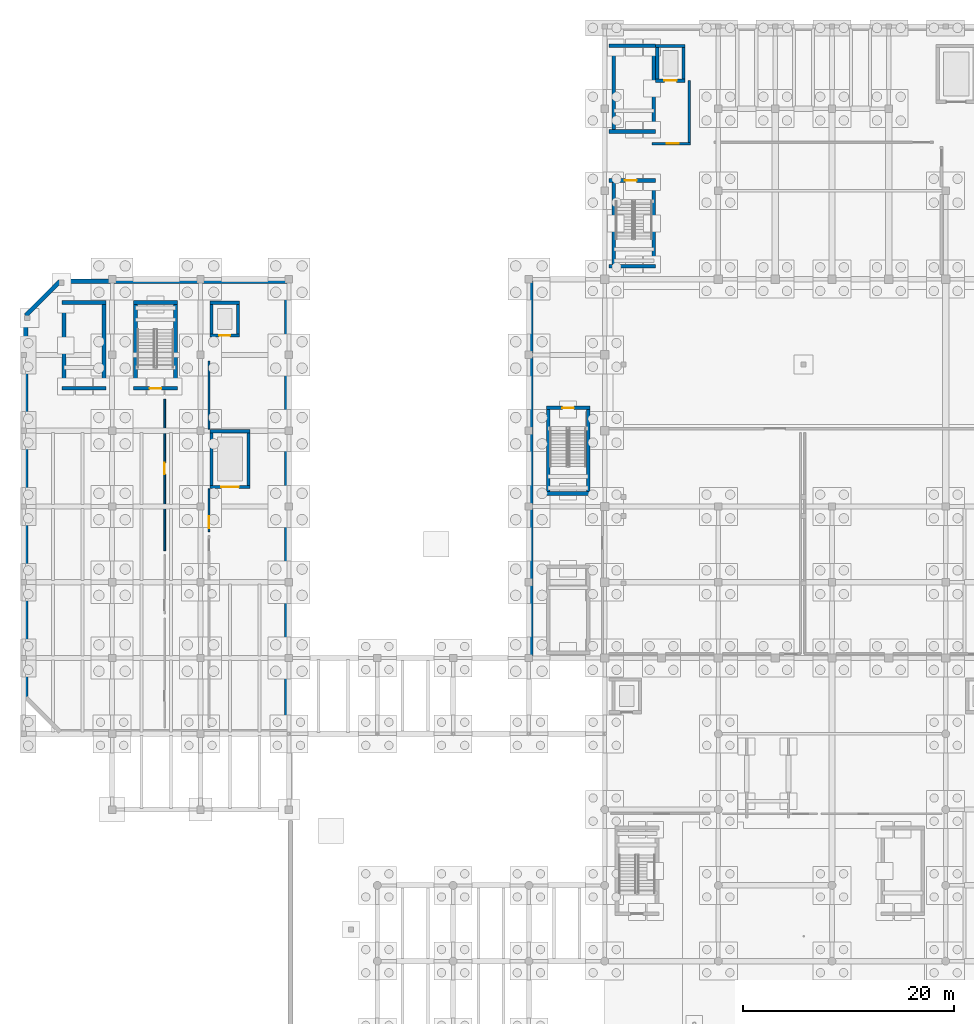
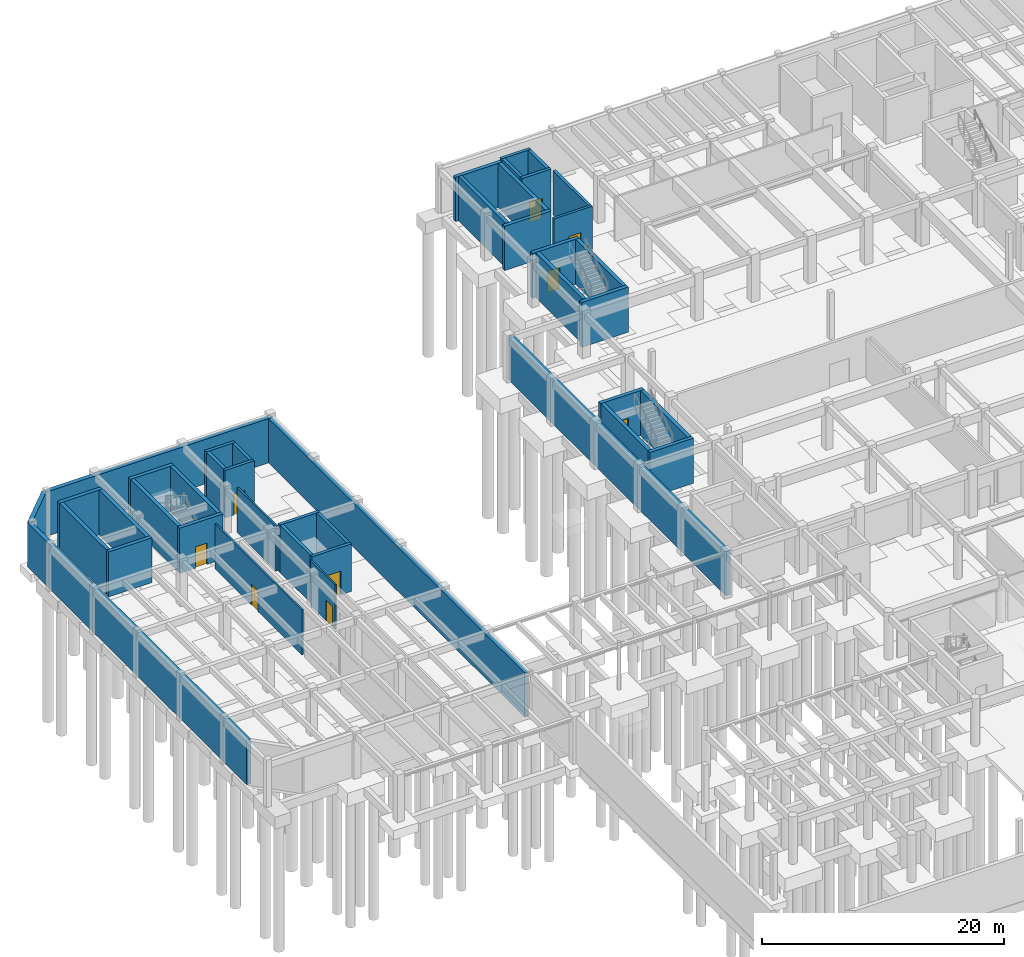
# One storey, part 28 of 46: 42 walls, 9 doors, 9 openings.
"""IFC4 building model written with IfcOpenShell, lengths in metres."""

from ifc_helpers import new_model, si_unit, direction, frame, frame_2d, origin, place, context, subcontext, project, spatial, rectangle, extrude, material, layer, layer_set, type_object, element, fill, save


model = new_model("IFC4")

# Units and contexts
model_context = context("Model", 3, precision=1e-05, world=origin(), true_north=direction((0.0, 1.0)))
body_context = subcontext(model_context, "Body", "Model", "MODEL_VIEW")
ifc_project = project(units=[si_unit("LENGTHUNIT", "METRE"), si_unit("AREAUNIT", "SQUARE_METRE"), si_unit("VOLUMEUNIT", "CUBIC_METRE"), si_unit("PLANEANGLEUNIT", "RADIAN"), si_unit("MASSUNIT", "GRAM", prefix="KILO")], contexts=[model_context])

# Site, building, storey
site_placement = place(None, origin())
site = spatial("IfcSite", under=ifc_project, at=site_placement, CompositionType="ELEMENT")
building_placement = place(site_placement, origin())
building = spatial("IfcBuilding", under=site, at=building_placement, Name="Tazoul Stagehouse", CompositionType="ELEMENT")
storey_placement = place(building_placement, frame((0.0, 0.0, -4.800048828125)))
storey = spatial("IfcBuildingStorey", under=building, at=storey_placement, Name="B1", CompositionType="ELEMENT", Elevation=-4.800048828125)

# Walls
ifc_material_1 = material(Name="Concrete C35/45", Category="concrete")
ifc_layer_1 = layer(ifc_material_1, 0.39990234375, Name="Concrete C35/45")
ifc_layer_set_1 = layer_set([ifc_layer_1], Name="Concrete C35/45")
wall_type_1 = type_object("IfcWallType", Name="Basement Waterproofed Retaining Wall 400", PredefinedType="SOLIDWALL", material=ifc_layer_set_1)
wall_1_placement = place(storey_placement, frame((2.60009765625, 48.06005859375, 0.0), z_axis=(0.0, 0.0, 1.0), x_axis=(0.0, 1.0, 0.0)))
element("IfcWall", 1, at=wall_1_placement, inside=storey, type_object=wall_type_1, Name="B1 Wall RW-400 (RW-B1-V6-W-S1)", PredefinedType="SOLIDWALL", context=body_context, shape_type="SweptSolid", body=[
    extrude(rectangle(XDim=36.280029296875, YDim=0.39990234375, at=frame_2d((18.14013671875, 0.0))), origin(), (0.0, 0.0, 1.0), 4.47998046875),
])
wall_2_placement = place(storey_placement, frame((2.60009765625, 84.340087890625, 0.0), z_axis=(0.0, 0.0, 1.0), x_axis=(0.707106781187, 0.707106781187, 0.0)))
element("IfcWall", 2, at=wall_2_placement, inside=storey, type_object=wall_type_1, Name="B1 Wall RW-400 (RW-B1-V6-NW-S1)", PredefinedType="SOLIDWALL", context=body_context, shape_type="SweptSolid", body=[
    extrude(rectangle(XDim=4.6103515625, YDim=0.39990234375, at=frame_2d((2.30517578125, 0.0))), origin(), (0.0, 0.0, 1.0), 4.47998046875),
])
wall_3_placement = place(storey_placement, frame((5.860107421875, 87.60009765625, 0.0), z_axis=(0.0, 0.0, 1.0), x_axis=(1.0, 0.0, 0.0)))
element("IfcWall", 3, at=wall_3_placement, inside=storey, type_object=wall_type_1, Name="B1 Wall RW-400 (RW-B1-V6-N-S1)", PredefinedType="SOLIDWALL", context=body_context, shape_type="SweptSolid", body=[
    extrude(rectangle(XDim=21.739990234375, YDim=0.39990234375, at=frame_2d((10.8701171875, 0.0))), origin(), (0.0, 0.0, 1.0), 4.47998046875),
])
wall_4_placement = place(storey_placement, frame((27.39990234375, 45.0, 0.0), z_axis=(0.0, 0.0, 1.0), x_axis=(0.0, 1.0, 0.0)))
element("IfcWall", 4, at=wall_4_placement, inside=storey, type_object=wall_type_1, Name="B1 Wall RW-400 (RW-B1-V6-E-S1)", PredefinedType="SOLIDWALL", context=body_context, shape_type="SweptSolid", body=[
    extrude(rectangle(XDim=42.39990234375, YDim=0.39990234375, at=frame_2d((21.199951171875, 0.0))), origin(), (0.0, 0.0, 1.0), 4.47998046875),
])
wall_5_placement = place(storey_placement, frame((50.60009765625, 51.800048828125, 0.0), z_axis=(0.0, 0.0, 1.0), x_axis=(0.0, 1.0, 0.0)))
element("IfcWall", 5, at=wall_5_placement, inside=storey, type_object=wall_type_1, Name="B1 Wall RW-400 (RW-B1-V1-W-S1)", PredefinedType="SOLIDWALL", context=body_context, shape_type="SweptSolid", body=[
    extrude(rectangle(XDim=36.0, YDim=0.39990234375, at=frame_2d((18.0, 0.0))), origin(), (0.0, 0.0, 1.0), 4.47998046875),
])
ifc_material_2 = material(Name="Concrete C40/50", Category="concrete")
ifc_layer_2 = layer(ifc_material_2, 0.35009765625, Name="Concrete C40/50")
ifc_layer_set_2 = layer_set([ifc_layer_2], Name="Concrete C40/50")
wall_type_2 = type_object("IfcWallType", Name="Core Shear Wall 350", PredefinedType="SOLIDWALL", material=ifc_layer_set_2)
wall_6_placement = place(storey_placement, frame((62.449951171875, 101.824951171875, 0.0), z_axis=(0.0, 0.0, 1.0), x_axis=(-1.0, 0.0, 0.0)))
element("IfcWall", 6, at=wall_6_placement, inside=storey, type_object=wall_type_2, Name="B1 Core Wall CW-350 (SHF-ST-03-south)", PredefinedType="SOLIDWALL", context=body_context, shape_type="SweptSolid", body=[
    extrude(rectangle(XDim=4.449951171875, YDim=0.35009765625, at=frame_2d((2.22509765625, 0.0))), origin(), (0.0, 0.0, 1.0), 4.47998046875),
])
wall_7_placement = place(storey_placement, frame((58.47509765625, 102.0, 0.0), z_axis=(0.0, 0.0, 1.0), x_axis=(0.0, 1.0, 0.0)))
element("IfcWall", 7, at=wall_7_placement, inside=storey, type_object=wall_type_2, Name="B1 Core Wall CW-350 (SHF-ST-03-west)", PredefinedType="SOLIDWALL", context=body_context, shape_type="SweptSolid", body=[
    extrude(rectangle(XDim=7.800048828125, YDim=0.35009765625, at=frame_2d((3.89990234375, 0.0))), origin(), (0.0, 0.0, 1.0), 4.47998046875),
])
wall_8_placement = place(storey_placement, frame((58.0, 109.97509765625, 0.0), z_axis=(0.0, 0.0, 1.0), x_axis=(1.0, 0.0, 0.0)))
element("IfcWall", 8, at=wall_8_placement, inside=storey, type_object=wall_type_2, Name="B1 Core Wall CW-350 (SHF-ST-03-north)", PredefinedType="SOLIDWALL", context=body_context, shape_type="SweptSolid", body=[
    extrude(rectangle(XDim=4.449951171875, YDim=0.35009765625, at=frame_2d((2.22509765625, 0.0))), origin(), (0.0, 0.0, 1.0), 4.47998046875),
])
wall_9_placement = place(storey_placement, frame((62.27490234375, 109.800048828125, 0.0), z_axis=(0.0, 0.0, 1.0), x_axis=(0.0, -1.0, 0.0)))
element("IfcWall", 9, at=wall_9_placement, inside=storey, type_object=wall_type_2, Name="B1 Core Wall CW-350 (SHF-ST-03-east)", PredefinedType="SOLIDWALL", context=body_context, shape_type="SweptSolid", body=[
    extrude(rectangle(XDim=7.800048828125, YDim=0.35009765625, at=frame_2d((3.89990234375, 0.0))), origin(), (0.0, 0.0, 1.0), 4.47998046875),
])
wall_10_placement = place(storey_placement, frame((62.449951171875, 89.02490234375, 0.0), z_axis=(0.0, 0.0, 1.0), x_axis=(-1.0, 0.0, 0.0)))
element("IfcWall", 10, at=wall_10_placement, inside=storey, type_object=wall_type_2, Name="B1 Core Wall CW-350 (SHF-ST-B3-south)", PredefinedType="SOLIDWALL", context=body_context, shape_type="SweptSolid", body=[
    extrude(rectangle(XDim=4.449951171875, YDim=0.35009765625, at=frame_2d((2.22509765625, 0.0))), origin(), (0.0, 0.0, 1.0), 4.56005859375),
])
wall_11_placement = place(storey_placement, frame((58.47509765625, 89.199951171875, 0.0), z_axis=(0.0, 0.0, 1.0), x_axis=(0.0, 1.0, 0.0)))
element("IfcWall", 11, at=wall_11_placement, inside=storey, type_object=wall_type_2, Name="B1 Core Wall CW-350 (SHF-ST-B3-west)", PredefinedType="SOLIDWALL", context=body_context, shape_type="SweptSolid", body=[
    extrude(rectangle(XDim=7.800048828125, YDim=0.35009765625, at=frame_2d((3.89990234375, 0.0))), origin(), (0.0, 0.0, 1.0), 4.56005859375),
])

# Wall, opening, door
wall_12_placement = place(storey_placement, frame((58.0, 97.175048828125, 0.0), z_axis=(0.0, 0.0, 1.0), x_axis=(1.0, 0.0, 0.0)))
wall_12 = element("IfcWall", 12, at=wall_12_placement, inside=storey, type_object=wall_type_2, Name="B1 Core Wall CW-350 (SHF-ST-B3-north)", PredefinedType="SOLIDWALL", context=body_context, shape_type="SweptSolid", body=[
    extrude(rectangle(XDim=4.449951171875, YDim=0.35009765625, at=frame_2d((2.22509765625, 0.0))), origin(), (0.0, 0.0, 1.0), 4.56005859375),
])
opening_1_placement = place(wall_12_placement, frame((1.52490234375, 0.0, 0.0)))
opening_1 = element("IfcOpeningElement", 13, at=opening_1_placement, cuts=wall_12, Name="Opening FD-01", PredefinedType="OPENING", context=body_context, shape_type="SweptSolid", body=[
    extrude(rectangle(XDim=1.10009765625, YDim=2.14990234375, at=frame_2d((0.550048828125, 1.074951171875))), frame((0.0, 0.195068359375, 0.0), z_axis=(0.0, -1.0, 0.0), x_axis=(1.0, 0.0, 0.0)), (0.0, 0.0, 1.0), 0.39013671875),
])
ifc_material_3 = material(Name="Powder-Coated Galvanised Acoustic Steel", Category="steel")
door_type_1 = type_object("IfcDoorType", Name="Core Escape Stair Fire Door 1100x2150", OperationType="NOTDEFINED", PredefinedType="DOOR", material=ifc_material_3)
door_1_placement = place(opening_1_placement, origin())
door_1 = element("IfcDoor", 14, at=door_1_placement, inside=storey, type_object=door_type_1, Name="B1 Basement Stair Fire Door FD-01 (ST-B3)", OperationType="SINGLE_SWING_LEFT", OverallHeight=2.14990234375, OverallWidth=1.10009765625, PredefinedType="DOOR", context=body_context, shape_type="SweptSolid", body=[
    extrude(rectangle(XDim=1.10009765625, YDim=2.14990234375, at=frame_2d((0.550048828125, 1.074951171875))), frame((0.0, 0.02490234375, 0.0), z_axis=(0.0, -1.0, 0.0), x_axis=(1.0, 0.0, 0.0)), (0.0, 0.0, 1.0), 0.050048828125),
])
fill(opening_1, door_1)

# Walls
wall_13_placement = place(storey_placement, frame((62.27490234375, 97.0, 0.0), z_axis=(0.0, 0.0, 1.0), x_axis=(0.0, -1.0, 0.0)))
element("IfcWall", 15, at=wall_13_placement, inside=storey, type_object=wall_type_2, Name="B1 Core Wall CW-350 (SHF-ST-B3-east)", PredefinedType="SOLIDWALL", context=body_context, shape_type="SweptSolid", body=[
    extrude(rectangle(XDim=7.800048828125, YDim=0.35009765625, at=frame_2d((3.89990234375, 0.0))), origin(), (0.0, 0.0, 1.0), 4.56005859375),
])
wall_14_placement = place(storey_placement, frame((56.199951171875, 67.425048828125, 0.0), z_axis=(0.0, 0.0, 1.0), x_axis=(-1.0, 0.0, 0.0)))
element("IfcWall", 16, at=wall_14_placement, inside=storey, type_object=wall_type_2, Name="B1 Core Wall CW-350 (SHF-ST-B5-south)", PredefinedType="SOLIDWALL", context=body_context, shape_type="SweptSolid", body=[
    extrude(rectangle(XDim=4.14990234375, YDim=0.35009765625, at=frame_2d((2.074951171875, 0.0))), origin(), (0.0, 0.0, 1.0), 4.56005859375),
])
wall_15_placement = place(storey_placement, frame((52.22509765625, 67.60009765625, 0.0), z_axis=(0.0, 0.0, 1.0), x_axis=(0.0, 1.0, 0.0)))
element("IfcWall", 17, at=wall_15_placement, inside=storey, type_object=wall_type_2, Name="B1 Core Wall CW-350 (SHF-ST-B5-west)", PredefinedType="SOLIDWALL", context=body_context, shape_type="SweptSolid", body=[
    extrude(rectangle(XDim=7.7998046875, YDim=0.35009765625, at=frame_2d((3.89990234375, 0.0))), origin(), (0.0, 0.0, 1.0), 4.56005859375),
])

# Wall, opening, door
wall_16_placement = place(storey_placement, frame((52.050048828125, 75.574951171875, 0.0), z_axis=(0.0, 0.0, 1.0), x_axis=(1.0, 0.0, 0.0)))
wall_16 = element("IfcWall", 18, at=wall_16_placement, inside=storey, type_object=wall_type_2, Name="B1 Core Wall CW-350 (SHF-ST-B5-north)", PredefinedType="SOLIDWALL", context=body_context, shape_type="SweptSolid", body=[
    extrude(rectangle(XDim=4.14990234375, YDim=0.35009765625, at=frame_2d((2.074951171875, 0.0))), origin(), (0.0, 0.0, 1.0), 4.56005859375),
])
opening_2_placement = place(wall_16_placement, frame((1.52490234375, 0.0, 0.0)))
opening_2 = element("IfcOpeningElement", 19, at=opening_2_placement, cuts=wall_16, Name="Opening FD-01", PredefinedType="OPENING", context=body_context, shape_type="SweptSolid", body=[
    extrude(rectangle(XDim=1.10009765625, YDim=2.14990234375, at=frame_2d((0.550048828125, 1.074951171875))), frame((0.0, 0.195068359375, 0.0), z_axis=(0.0, -1.0, 0.0), x_axis=(1.0, 0.0, 0.0)), (0.0, 0.0, 1.0), 0.39013671875),
])
door_2_placement = place(opening_2_placement, origin())
door_2 = element("IfcDoor", 20, at=door_2_placement, inside=storey, type_object=door_type_1, Name="B1 Basement Stair Fire Door FD-01 (ST-B5)", OperationType="SINGLE_SWING_RIGHT", OverallHeight=2.14990234375, OverallWidth=1.10009765625, PredefinedType="DOOR", context=body_context, shape_type="SweptSolid", body=[
    extrude(rectangle(XDim=1.10009765625, YDim=2.14990234375, at=frame_2d((0.550048828125, 1.074951171875))), frame((0.0, 0.02490234375, 0.0), z_axis=(0.0, -1.0, 0.0), x_axis=(1.0, 0.0, 0.0)), (0.0, 0.0, 1.0), 0.050048828125),
])
fill(opening_2, door_2)

# Walls
wall_17_placement = place(storey_placement, frame((56.02490234375, 75.39990234375, 0.0), z_axis=(0.0, 0.0, 1.0), x_axis=(0.0, -1.0, 0.0)))
element("IfcWall", 21, at=wall_17_placement, inside=storey, type_object=wall_type_2, Name="B1 Core Wall CW-350 (SHF-ST-B5-east)", PredefinedType="SOLIDWALL", context=body_context, shape_type="SweptSolid", body=[
    extrude(rectangle(XDim=7.7998046875, YDim=0.35009765625, at=frame_2d((3.89990234375, 0.0))), origin(), (0.0, 0.0, 1.0), 4.56005859375),
])
wall_18_placement = place(storey_placement, frame((10.199951171875, 77.425048828125, 0.0), z_axis=(0.0, 0.0, 1.0), x_axis=(-1.0, 0.0, 0.0)))
element("IfcWall", 22, at=wall_18_placement, inside=storey, type_object=wall_type_2, Name="B1 Core Wall CW-350 (SHF-ST-06-south)", PredefinedType="SOLIDWALL", context=body_context, shape_type="SweptSolid", body=[
    extrude(rectangle(XDim=4.14990234375, YDim=0.35009765625, at=frame_2d((2.074951171875, 0.0))), origin(), (0.0, 0.0, 1.0), 4.5400390625),
])
wall_19_placement = place(storey_placement, frame((6.22509765625, 77.60009765625, 0.0), z_axis=(0.0, 0.0, 1.0), x_axis=(0.0, 1.0, 0.0)))
element("IfcWall", 23, at=wall_19_placement, inside=storey, type_object=wall_type_2, Name="B1 Core Wall CW-350 (SHF-ST-06-west)", PredefinedType="SOLIDWALL", context=body_context, shape_type="SweptSolid", body=[
    extrude(rectangle(XDim=7.7998046875, YDim=0.35009765625, at=frame_2d((3.89990234375, 0.0))), origin(), (0.0, 0.0, 1.0), 4.5400390625),
])
wall_20_placement = place(storey_placement, frame((6.050048828125, 85.574951171875, 0.0), z_axis=(0.0, 0.0, 1.0), x_axis=(1.0, 0.0, 0.0)))
element("IfcWall", 24, at=wall_20_placement, inside=storey, type_object=wall_type_2, Name="B1 Core Wall CW-350 (SHF-ST-06-north)", PredefinedType="SOLIDWALL", context=body_context, shape_type="SweptSolid", body=[
    extrude(rectangle(XDim=4.14990234375, YDim=0.35009765625, at=frame_2d((2.074951171875, 0.0))), origin(), (0.0, 0.0, 1.0), 4.5400390625),
])
wall_21_placement = place(storey_placement, frame((10.02490234375, 85.39990234375, 0.0), z_axis=(0.0, 0.0, 1.0), x_axis=(0.0, -1.0, 0.0)))
element("IfcWall", 25, at=wall_21_placement, inside=storey, type_object=wall_type_2, Name="B1 Core Wall CW-350 (SHF-ST-06-east)", PredefinedType="SOLIDWALL", context=body_context, shape_type="SweptSolid", body=[
    extrude(rectangle(XDim=7.7998046875, YDim=0.35009765625, at=frame_2d((3.89990234375, 0.0))), origin(), (0.0, 0.0, 1.0), 4.5400390625),
])

# Wall, opening, door
wall_22_placement = place(storey_placement, frame((17.0, 77.425048828125, 0.0), z_axis=(0.0, 0.0, 1.0), x_axis=(-1.0, 0.0, 0.0)))
wall_22 = element("IfcWall", 26, at=wall_22_placement, inside=storey, type_object=wall_type_2, Name="B1 Core Wall CW-350 (SHF-ST-B6-south)", PredefinedType="SOLIDWALL", context=body_context, shape_type="SweptSolid", body=[
    extrude(rectangle(XDim=4.14990234375, YDim=0.35009765625, at=frame_2d((2.074951171875, 0.0))), origin(), (0.0, 0.0, 1.0), 4.56005859375),
])
opening_3_placement = place(wall_22_placement, frame((1.52490234375, 0.0, 0.0)))
opening_3 = element("IfcOpeningElement", 27, at=opening_3_placement, cuts=wall_22, Name="Opening FD-01", PredefinedType="OPENING", context=body_context, shape_type="SweptSolid", body=[
    extrude(rectangle(XDim=1.10009765625, YDim=2.14990234375, at=frame_2d((0.550048828125, 1.074951171875))), frame((0.0, 0.195068359375, 0.0), z_axis=(0.0, -1.0, 0.0), x_axis=(1.0, 0.0, 0.0)), (0.0, 0.0, 1.0), 0.39013671875),
])
door_3_placement = place(opening_3_placement, origin())
door_3 = element("IfcDoor", 28, at=door_3_placement, inside=storey, type_object=door_type_1, Name="B1 Basement Stair Fire Door FD-01 (ST-B6)", OperationType="SINGLE_SWING_RIGHT", OverallHeight=2.14990234375, OverallWidth=1.10009765625, PredefinedType="DOOR", context=body_context, shape_type="SweptSolid", body=[
    extrude(rectangle(XDim=1.10009765625, YDim=2.14990234375, at=frame_2d((0.550048828125, 1.074951171875))), frame((0.0, 0.02490234375, 0.0), z_axis=(0.0, -1.0, 0.0), x_axis=(1.0, 0.0, 0.0)), (0.0, 0.0, 1.0), 0.050048828125),
])
fill(opening_3, door_3)

# Walls
wall_23_placement = place(storey_placement, frame((13.02490234375, 77.60009765625, 0.0), z_axis=(0.0, 0.0, 1.0), x_axis=(0.0, 1.0, 0.0)))
element("IfcWall", 29, at=wall_23_placement, inside=storey, type_object=wall_type_2, Name="B1 Core Wall CW-350 (SHF-ST-B6-west)", PredefinedType="SOLIDWALL", context=body_context, shape_type="SweptSolid", body=[
    extrude(rectangle(XDim=7.7998046875, YDim=0.35009765625, at=frame_2d((3.89990234375, 0.0))), origin(), (0.0, 0.0, 1.0), 4.56005859375),
])
wall_24_placement = place(storey_placement, frame((12.85009765625, 85.574951171875, 0.0), z_axis=(0.0, 0.0, 1.0), x_axis=(1.0, 0.0, 0.0)))
element("IfcWall", 30, at=wall_24_placement, inside=storey, type_object=wall_type_2, Name="B1 Core Wall CW-350 (SHF-ST-B6-north)", PredefinedType="SOLIDWALL", context=body_context, shape_type="SweptSolid", body=[
    extrude(rectangle(XDim=4.14990234375, YDim=0.35009765625, at=frame_2d((2.074951171875, 0.0))), origin(), (0.0, 0.0, 1.0), 4.56005859375),
])
wall_25_placement = place(storey_placement, frame((16.824951171875, 85.39990234375, 0.0), z_axis=(0.0, 0.0, 1.0), x_axis=(0.0, -1.0, 0.0)))
element("IfcWall", 31, at=wall_25_placement, inside=storey, type_object=wall_type_2, Name="B1 Core Wall CW-350 (SHF-ST-B6-east)", PredefinedType="SOLIDWALL", context=body_context, shape_type="SweptSolid", body=[
    extrude(rectangle(XDim=7.7998046875, YDim=0.35009765625, at=frame_2d((3.89990234375, 0.0))), origin(), (0.0, 0.0, 1.0), 4.56005859375),
])

# Wall, opening, door
ifc_material_4 = material(Name="Gypsum Acoustic Partition", Category="gypsum")
ifc_layer_3 = layer(ifc_material_4, 0.169921875, Name="Gypsum Acoustic Partition")
ifc_layer_set_3 = layer_set([ifc_layer_3], Name="Gypsum Acoustic Partition")
wall_type_3 = type_object("IfcWallType", Name="Corridor Fire-Rated Partition 170", PredefinedType="PARTITIONING", material=ifc_layer_set_3)
wall_26_placement = place(storey_placement, frame((15.800048828125, 76.39990234375, 0.0), z_axis=(0.0, 0.0, 1.0), x_axis=(0.0, -1.0, 0.0)))
wall_26 = element("IfcWall", 32, at=wall_26_placement, inside=storey, type_object=wall_type_3, Name="B1 Partition PW-170 (PW-RM-B1-015-E)", PredefinedType="PARTITIONING", context=body_context, shape_type="SweptSolid", body=[
    extrude(rectangle(XDim=14.39990234375, YDim=0.169921875, at=frame_2d((7.199951171875, 0.0))), origin(), (0.0, 0.0, 1.0), 4.5400390625),
])
opening_4_placement = place(wall_26_placement, frame((6.032470703125, 0.0, 0.0)))
opening_4 = element("IfcOpeningElement", 33, at=opening_4_placement, cuts=wall_26, Name="Opening ID-09", PredefinedType="OPENING", context=body_context, shape_type="SweptSolid", body=[
    extrude(rectangle(XDim=1.10009765625, YDim=2.10009765625, at=frame_2d((0.550048828125, 1.050048828125))), frame((0.0, 0.10498046875, 0.0), z_axis=(0.0, -1.0, 0.0), x_axis=(1.0, 0.0, 0.0)), (0.0, 0.0, 1.0), 0.2099609375),
])
ifc_material_5 = material(Name="Acoustic Cedar Timber", Category="wood")
door_type_2 = type_object("IfcDoorType", Name="Store Room Steel Door 1100x2100", OperationType="NOTDEFINED", PredefinedType="DOOR", material=ifc_material_5)
door_4_placement = place(opening_4_placement, origin())
door_4 = element("IfcDoor", 34, at=door_4_placement, inside=storey, type_object=door_type_2, Name="B1 Black-Box Prop and Seat Wagon Store Door", OperationType="SINGLE_SWING_LEFT", OverallHeight=2.10009765625, OverallWidth=1.10009765625, PredefinedType="DOOR", context=body_context, shape_type="SweptSolid", body=[
    extrude(rectangle(XDim=1.10009765625, YDim=2.10009765625, at=frame_2d((0.550048828125, 1.050048828125))), frame((0.0, 0.02490234375, 0.0), z_axis=(0.0, -1.0, 0.0), x_axis=(1.0, 0.0, 0.0)), (0.0, 0.0, 1.0), 0.050048828125),
])
fill(opening_4, door_4)

wall_27_placement = place(storey_placement, frame((20.0, 63.800048828125, 0.0), z_axis=(0.0, 0.0, 1.0), x_axis=(0.0, 1.0, 0.0)))
wall_27 = element("IfcWall", 35, at=wall_27_placement, inside=storey, type_object=wall_type_3, Name="B1 Partition PW-170 (PW-RM-B1-100-W-S1)", PredefinedType="PARTITIONING", context=body_context, shape_type="SweptSolid", body=[
    extrude(rectangle(XDim=4.06005859375, YDim=0.169921875, at=frame_2d((2.030029296875, 0.0))), origin(), (0.0, 0.0, 1.0), 4.5400390625),
])
opening_5_placement = place(wall_27_placement, frame((0.35009765625, 0.0, 0.0)))
opening_5 = element("IfcOpeningElement", 36, at=opening_5_placement, cuts=wall_27, Name="Opening ID-09", PredefinedType="OPENING", context=body_context, shape_type="SweptSolid", body=[
    extrude(rectangle(XDim=1.10009765625, YDim=2.10009765625, at=frame_2d((0.550048828125, 1.050048828125))), frame((0.0, 0.10498046875, 0.0), z_axis=(0.0, -1.0, 0.0), x_axis=(1.0, 0.0, 0.0)), (0.0, 0.0, 1.0), 0.2099609375),
])
door_5_placement = place(opening_5_placement, origin())
door_5 = element("IfcDoor", 37, at=door_5_placement, inside=storey, type_object=door_type_2, Name="B1 West Wing Heavy Property and Lighting Store Door", OperationType="SINGLE_SWING_LEFT", OverallHeight=2.10009765625, OverallWidth=1.10009765625, PredefinedType="DOOR", context=body_context, shape_type="SweptSolid", body=[
    extrude(rectangle(XDim=1.10009765625, YDim=2.10009765625, at=frame_2d((0.550048828125, 1.050048828125))), frame((0.0, 0.02490234375, 0.0), z_axis=(0.0, -1.0, 0.0), x_axis=(1.0, 0.0, 0.0)), (0.0, 0.0, 1.0), 0.050048828125),
])
fill(opening_5, door_5)

# Wall
wall_28_placement = place(storey_placement, frame((20.0, 73.5400390625, 0.0), z_axis=(0.0, 0.0, 1.0), x_axis=(0.0, 1.0, 0.0)))
element("IfcWall", 38, at=wall_28_placement, inside=storey, type_object=wall_type_3, Name="B1 Partition PW-170 (PW-RM-B1-100-W-S2)", PredefinedType="PARTITIONING", context=body_context, shape_type="SweptSolid", body=[
    extrude(rectangle(XDim=6.4599609375, YDim=0.169921875, at=frame_2d((3.22998046875, 0.0))), origin(), (0.0, 0.0, 1.0), 4.5400390625),
])

# Wall, opening, door
ifc_layer_4 = layer(ifc_material_2, 0.260009765625, Name="Concrete C40/50")
ifc_layer_set_4 = layer_set([ifc_layer_4], Name="Concrete C40/50")
wall_type_4 = type_object("IfcWallType", Name="Firefighting Lobby Wall 260", PredefinedType="SOLIDWALL", material=ifc_layer_set_4)
wall_29_placement = place(storey_placement, frame((65.760009765625, 100.669921875, 0.0), z_axis=(0.0, 0.0, 1.0), x_axis=(-1.0, 0.0, 0.0)))
wall_29 = element("IfcWall", 39, at=wall_29_placement, inside=storey, type_object=wall_type_4, Name="B1 Firefighting Lobby Wall CW-260 (C3-S)", PredefinedType="SOLIDWALL", context=body_context, shape_type="SweptSolid", body=[
    extrude(rectangle(XDim=3.659912109375, YDim=0.260009765625, at=frame_2d((1.830078125, 0.0))), origin(), (0.0, 0.0, 1.0), 4.47998046875),
])
opening_6_placement = place(wall_29_placement, frame((1.10009765625, 0.0, 0.0)))
opening_6 = element("IfcOpeningElement", 40, at=opening_6_placement, cuts=wall_29, Name="Opening FD-02", PredefinedType="OPENING", context=body_context, shape_type="SweptSolid", body=[
    extrude(rectangle(XDim=1.14990234375, YDim=2.199951171875, at=frame_2d((0.574951171875, 1.10009765625))), frame((0.0, 0.14990234375, 0.0), z_axis=(0.0, -1.0, 0.0), x_axis=(1.0, 0.0, 0.0)), (0.0, 0.0, 1.0), 0.300048828125),
])
door_type_3 = type_object("IfcDoorType", Name="Firefighting Lobby Fire Door 1150x2200", OperationType="NOTDEFINED", PredefinedType="DOOR", material=ifc_material_3)
door_6_placement = place(opening_6_placement, origin())
door_6 = element("IfcDoor", 41, at=door_6_placement, inside=storey, type_object=door_type_3, Name="B1 Firefighting Lobby Door FD-02 (C3)", OperationType="SINGLE_SWING_LEFT", OverallHeight=2.199951171875, OverallWidth=1.14990234375, PredefinedType="DOOR", context=body_context, shape_type="SweptSolid", body=[
    extrude(rectangle(XDim=1.14990234375, YDim=2.199951171875, at=frame_2d((0.574951171875, 1.10009765625))), frame((0.0, 0.02490234375, 0.0), z_axis=(0.0, -1.0, 0.0), x_axis=(1.0, 0.0, 0.0)), (0.0, 0.0, 1.0), 0.050048828125),
])
fill(opening_6, door_6)

# Wall
wall_30_placement = place(storey_placement, frame((65.6298828125, 106.64990234375, 0.0), z_axis=(0.0, 0.0, 1.0), x_axis=(0.0, -1.0, 0.0)))
element("IfcWall", 42, at=wall_30_placement, inside=storey, type_object=wall_type_4, Name="B1 Firefighting Lobby Wall CW-260 (C3-E)", PredefinedType="SOLIDWALL", context=body_context, shape_type="SweptSolid", body=[
    extrude(rectangle(XDim=5.849853515625, YDim=0.260009765625, at=frame_2d((2.9248046875, 0.0))), origin(), (0.0, 0.0, 1.0), 4.47998046875),
])

# Wall, opening, door
ifc_layer_5 = layer(ifc_material_2, 0.300048828125, Name="Concrete C40/50")
ifc_layer_set_5 = layer_set([ifc_layer_5], Name="Concrete C40/50")
wall_type_5 = type_object("IfcWallType", Name="Lift Shaft Wall 300", PredefinedType="SOLIDWALL", material=ifc_layer_set_5)
wall_31_placement = place(storey_placement, frame((65.25, 106.64990234375, 0.0), z_axis=(0.0, 0.0, 1.0), x_axis=(-1.0, 0.0, 0.0)))
wall_31 = element("IfcWall", 43, at=wall_31_placement, inside=storey, type_object=wall_type_5, Name="B1 Core Wall CW-300 (LSHF-FFL-02-south)", PredefinedType="SOLIDWALL", context=body_context, shape_type="SweptSolid", body=[
    extrude(rectangle(XDim=2.800048828125, YDim=0.300048828125, at=frame_2d((1.39990234375, 0.0))), origin(), (0.0, 0.0, 1.0), 4.800048828125),
])
opening_7_placement = place(wall_31_placement, frame((0.824951171875, 0.0, 0.0)))
opening_7 = element("IfcOpeningElement", 44, at=opening_7_placement, cuts=wall_31, Name="Opening LD-02", PredefinedType="OPENING", context=body_context, shape_type="SweptSolid", body=[
    extrude(rectangle(XDim=1.14990234375, YDim=2.10009765625, at=frame_2d((0.574951171875, 1.050048828125))), frame((0.0, 0.169921875, 0.0), z_axis=(0.0, -1.0, 0.0), x_axis=(1.0, 0.0, 0.0)), (0.0, 0.0, 1.0), 0.340087890625),
])
door_type_4 = type_object("IfcDoorType", Name="Firefighter Lift Sliding Landing Door 1150x2100", OperationType="DOUBLE_DOOR_SLIDING", PredefinedType="DOOR", material=ifc_material_3)
door_7_placement = place(opening_7_placement, origin())
door_7 = element("IfcDoor", 45, at=door_7_placement, inside=storey, type_object=door_type_4, Name="B1 Lift Landing Sliding Door LD-02 (FFL-02)", OperationType="DOUBLE_DOOR_SLIDING", OverallHeight=2.10009765625, OverallWidth=1.14990234375, PredefinedType="DOOR", context=body_context, shape_type="SweptSolid", body=[
    extrude(rectangle(XDim=1.14990234375, YDim=2.10009765625, at=frame_2d((0.574951171875, 1.050048828125))), frame((0.0, 0.02490234375, 0.0), z_axis=(0.0, -1.0, 0.0), x_axis=(1.0, 0.0, 0.0)), (0.0, 0.0, 1.0), 0.050048828125),
])
fill(opening_7, door_7)

# Walls
wall_32_placement = place(storey_placement, frame((62.60009765625, 106.800048828125, 0.0), z_axis=(0.0, 0.0, 1.0), x_axis=(0.0, 1.0, 0.0)))
element("IfcWall", 46, at=wall_32_placement, inside=storey, type_object=wall_type_5, Name="B1 Core Wall CW-300 (LSHF-FFL-02-west)", PredefinedType="SOLIDWALL", context=body_context, shape_type="SweptSolid", body=[
    extrude(rectangle(XDim=3.0, YDim=0.300048828125, at=frame_2d((1.5, 0.0))), origin(), (0.0, 0.0, 1.0), 4.800048828125),
])
wall_33_placement = place(storey_placement, frame((62.449951171875, 109.949951171875, 0.0), z_axis=(0.0, 0.0, 1.0), x_axis=(1.0, 0.0, 0.0)))
element("IfcWall", 47, at=wall_33_placement, inside=storey, type_object=wall_type_5, Name="B1 Core Wall CW-300 (LSHF-FFL-02-north)", PredefinedType="SOLIDWALL", context=body_context, shape_type="SweptSolid", body=[
    extrude(rectangle(XDim=2.800048828125, YDim=0.300048828125, at=frame_2d((1.39990234375, 0.0))), origin(), (0.0, 0.0, 1.0), 4.800048828125),
])
wall_34_placement = place(storey_placement, frame((65.10009765625, 109.800048828125, 0.0), z_axis=(0.0, 0.0, 1.0), x_axis=(0.0, -1.0, 0.0)))
element("IfcWall", 48, at=wall_34_placement, inside=storey, type_object=wall_type_5, Name="B1 Core Wall CW-300 (LSHF-FFL-02-east)", PredefinedType="SOLIDWALL", context=body_context, shape_type="SweptSolid", body=[
    extrude(rectangle(XDim=3.0, YDim=0.300048828125, at=frame_2d((1.5, 0.0))), origin(), (0.0, 0.0, 1.0), 4.800048828125),
])

# Wall, opening, door
wall_35_placement = place(storey_placement, frame((22.89990234375, 82.449951171875, 0.0), z_axis=(0.0, 0.0, 1.0), x_axis=(-1.0, 0.0, 0.0)))
wall_35 = element("IfcWall", 49, at=wall_35_placement, inside=storey, type_object=wall_type_5, Name="B1 Core Wall CW-300 (LSHF-PL-03-south)", PredefinedType="SOLIDWALL", context=body_context, shape_type="SweptSolid", body=[
    extrude(rectangle(XDim=2.7998046875, YDim=0.300048828125, at=frame_2d((1.39990234375, 0.0))), origin(), (0.0, 0.0, 1.0), 4.800048828125),
])
opening_8_placement = place(wall_35_placement, frame((0.875, 0.0, 0.0)))
opening_8 = element("IfcOpeningElement", 50, at=opening_8_placement, cuts=wall_35, Name="Opening LD-05", PredefinedType="OPENING", context=body_context, shape_type="SweptSolid", body=[
    extrude(rectangle(XDim=1.050048828125, YDim=2.14990234375, at=frame_2d((0.52490234375, 1.074951171875))), frame((0.0, 0.169921875, 0.0), z_axis=(0.0, -1.0, 0.0), x_axis=(1.0, 0.0, 0.0)), (0.0, 0.0, 1.0), 0.340087890625),
])
door_type_5 = type_object("IfcDoorType", Name="West Lift Sliding Landing Door 1050x2150", OperationType="DOUBLE_DOOR_SLIDING", PredefinedType="DOOR", material=ifc_material_3)
door_8_placement = place(opening_8_placement, origin())
door_8 = element("IfcDoor", 51, at=door_8_placement, inside=storey, type_object=door_type_5, Name="B1 Lift Landing Sliding Door LD-05 (PL-03)", OperationType="DOUBLE_DOOR_SLIDING", OverallHeight=2.14990234375, OverallWidth=1.050048828125, PredefinedType="DOOR", context=body_context, shape_type="SweptSolid", body=[
    extrude(rectangle(XDim=1.050048828125, YDim=2.14990234375, at=frame_2d((0.52490234375, 1.074951171875))), frame((0.0, 0.02490234375, 0.0), z_axis=(0.0, -1.0, 0.0), x_axis=(1.0, 0.0, 0.0)), (0.0, 0.0, 1.0), 0.050048828125),
])
fill(opening_8, door_8)

# Walls
for number, where, z_axis, x_axis, name in (
    (52, (20.25, 82.60009765625, 0.0), (0.0, 0.0, 1.0), (0.0, 1.0, 0.0), "B1 Core Wall CW-300 (LSHF-PL-03-west)"),
    (53, (20.10009765625, 85.550048828125, 0.0), (0.0, 0.0, 1.0), (1.0, 0.0, 0.0), "B1 Core Wall CW-300 (LSHF-PL-03-north)"),
    (54, (22.75, 85.39990234375, 0.0), (0.0, 0.0, 1.0), (0.0, -1.0, 0.0), "B1 Core Wall CW-300 (LSHF-PL-03-east)"),
):
    element("IfcWall", number, at=place(storey_placement, frame(where, z_axis=z_axis, x_axis=x_axis)), inside=storey, type_object=wall_type_5, Name=name, PredefinedType="SOLIDWALL", context=body_context, shape_type="SweptSolid", body=[
        extrude(rectangle(XDim=2.7998046875, YDim=0.300048828125, at=frame_2d((1.39990234375, 0.0))), origin(), (0.0, 0.0, 1.0), 4.800048828125),
    ])

# Wall, opening, door
wall_36_placement = place(storey_placement, frame((23.89990234375, 68.050048828125, 0.0), z_axis=(0.0, 0.0, 1.0), x_axis=(-1.0, 0.0, 0.0)))
wall_36 = element("IfcWall", 55, at=wall_36_placement, inside=storey, type_object=wall_type_5, Name="B1 Core Wall CW-300 (LSHF-GL-02-south)", PredefinedType="SOLIDWALL", context=body_context, shape_type="SweptSolid", body=[
    extrude(rectangle(XDim=3.7998046875, YDim=0.300048828125, at=frame_2d((1.89990234375, 0.0))), origin(), (0.0, 0.0, 1.0), 4.800048828125),
])
opening_9_placement = place(wall_36_placement, frame((1.050048828125, 0.0, 0.0)))
opening_9 = element("IfcOpeningElement", 56, at=opening_9_placement, cuts=wall_36, Name="Opening LD-08", PredefinedType="OPENING", context=body_context, shape_type="SweptSolid", body=[
    extrude(rectangle(XDim=1.699951171875, YDim=2.39990234375, at=frame_2d((0.85009765625, 1.199951171875))), frame((0.0, 0.169921875, 0.0), z_axis=(0.0, -1.0, 0.0), x_axis=(1.0, 0.0, 0.0)), (0.0, 0.0, 1.0), 0.340087890625),
])
door_type_6 = type_object("IfcDoorType", Name="Black-Box Goods Lift Sliding Door 1700x2400", OperationType="DOUBLE_DOOR_SLIDING", PredefinedType="DOOR", material=ifc_material_3)
door_9_placement = place(opening_9_placement, origin())
door_9 = element("IfcDoor", 57, at=door_9_placement, inside=storey, type_object=door_type_6, Name="B1 Lift Landing Sliding Door LD-08 (GL-02)", OperationType="DOUBLE_DOOR_SLIDING", OverallHeight=2.39990234375, OverallWidth=1.699951171875, PredefinedType="DOOR", context=body_context, shape_type="SweptSolid", body=[
    extrude(rectangle(XDim=1.699951171875, YDim=2.39990234375, at=frame_2d((0.85009765625, 1.199951171875))), frame((0.0, 0.02490234375, 0.0), z_axis=(0.0, -1.0, 0.0), x_axis=(1.0, 0.0, 0.0)), (0.0, 0.0, 1.0), 0.050048828125),
])
fill(opening_9, door_9)

# Walls
wall_37_placement = place(storey_placement, frame((20.25, 68.199951171875, 0.0), z_axis=(0.0, 0.0, 1.0), x_axis=(0.0, 1.0, 0.0)))
element("IfcWall", 58, at=wall_37_placement, inside=storey, type_object=wall_type_5, Name="B1 Core Wall CW-300 (LSHF-GL-02-west)", PredefinedType="SOLIDWALL", context=body_context, shape_type="SweptSolid", body=[
    extrude(rectangle(XDim=5.0, YDim=0.300048828125, at=frame_2d((2.5, 0.0))), origin(), (0.0, 0.0, 1.0), 4.800048828125),
])
wall_38_placement = place(storey_placement, frame((20.10009765625, 73.35009765625, 0.0), z_axis=(0.0, 0.0, 1.0), x_axis=(1.0, 0.0, 0.0)))
element("IfcWall", 59, at=wall_38_placement, inside=storey, type_object=wall_type_5, Name="B1 Core Wall CW-300 (LSHF-GL-02-north)", PredefinedType="SOLIDWALL", context=body_context, shape_type="SweptSolid", body=[
    extrude(rectangle(XDim=3.7998046875, YDim=0.300048828125, at=frame_2d((1.89990234375, 0.0))), origin(), (0.0, 0.0, 1.0), 4.800048828125),
])
wall_39_placement = place(storey_placement, frame((23.75, 73.199951171875, 0.0), z_axis=(0.0, 0.0, 1.0), x_axis=(0.0, -1.0, 0.0)))
element("IfcWall", 60, at=wall_39_placement, inside=storey, type_object=wall_type_5, Name="B1 Core Wall CW-300 (LSHF-GL-02-east)", PredefinedType="SOLIDWALL", context=body_context, shape_type="SweptSolid", body=[
    extrude(rectangle(XDim=5.0, YDim=0.300048828125, at=frame_2d((2.5, 0.0))), origin(), (0.0, 0.0, 1.0), 4.800048828125),
])

save(model, "model.ifc")
